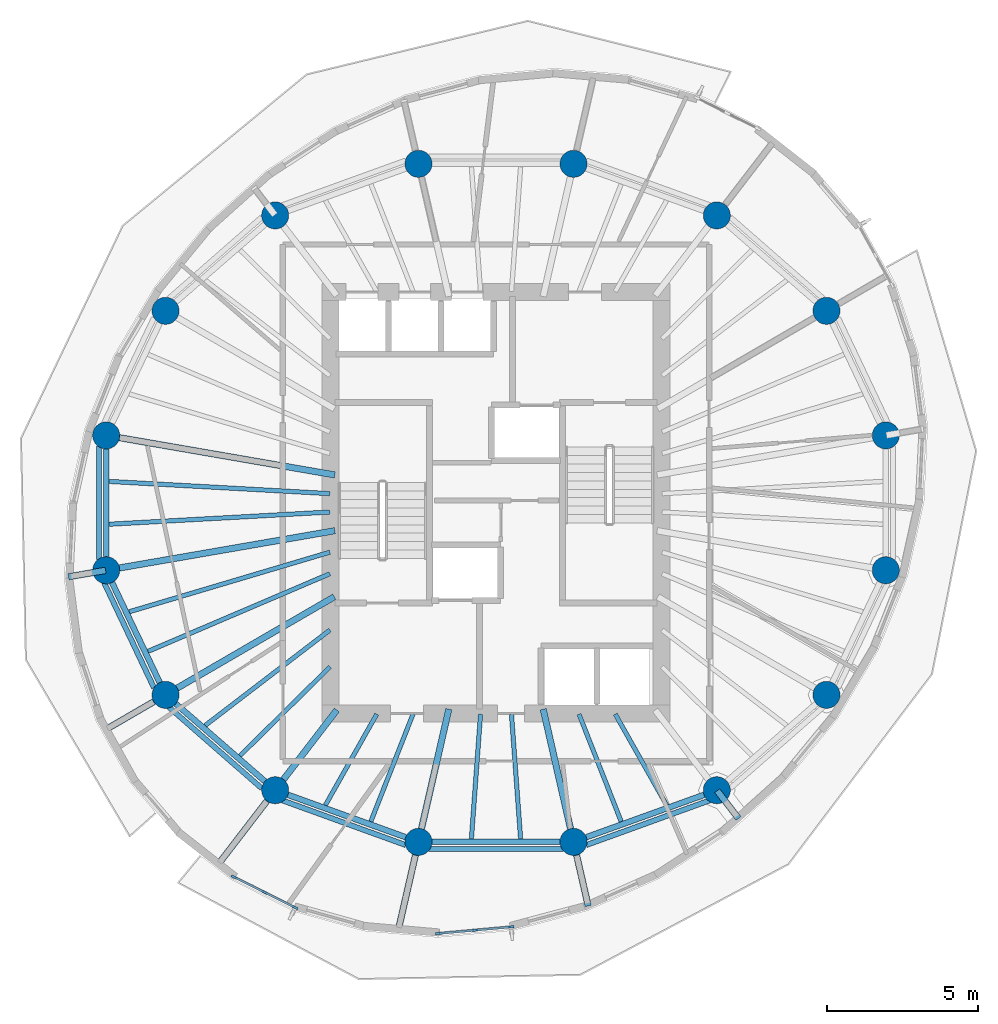
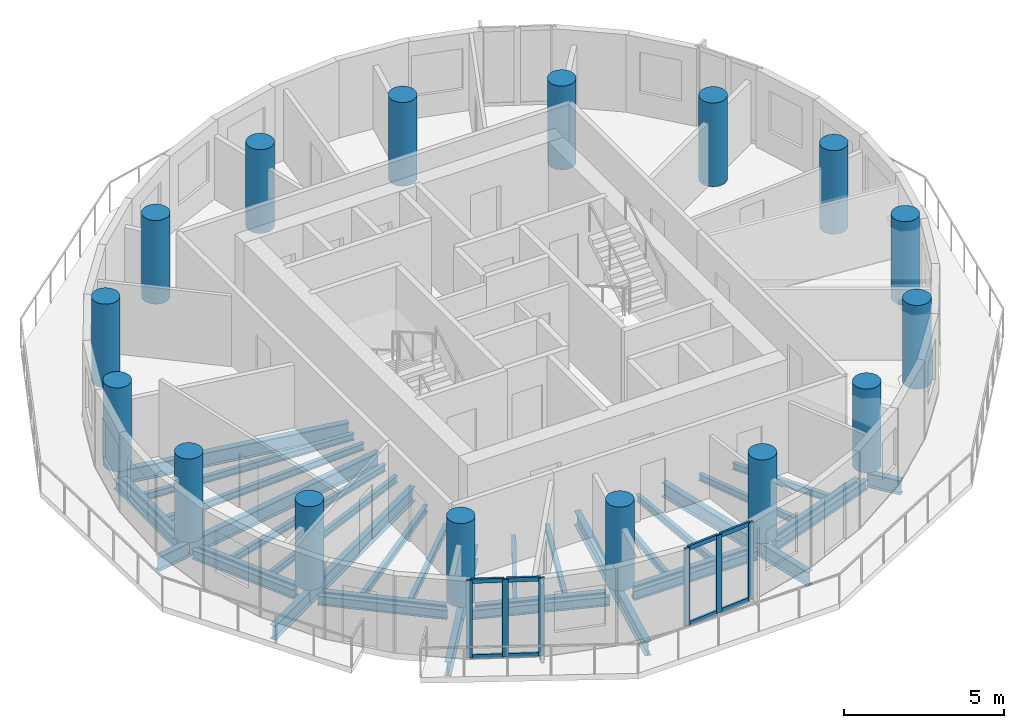
# One storey, part 1 of 10: 36 beams, 16 columns, 14 members, 2 elements without a shape of their own.
"""IFC4 building model written with IfcOpenShell, lengths in metres."""

from ifc_helpers import new_model, si_unit, direction, frame, origin, origin_2d, place, context, subcontext, project, spatial, rectangle, circle, i_section, extrude, material, material_profile, profile_set, type_object, element, aggregate, save


model = new_model("IFC4")

# Units and contexts
model_context = context("Model", 3, precision=1e-05, world=origin(), true_north=direction((0.0, 1.0)))
body_context = subcontext(model_context, "Body", "Model", "MODEL_VIEW")
ifc_project = project(units=[si_unit("LENGTHUNIT", "METRE"), si_unit("AREAUNIT", "SQUARE_METRE"), si_unit("VOLUMEUNIT", "CUBIC_METRE"), si_unit("PLANEANGLEUNIT", "RADIAN"), si_unit("MASSUNIT", "GRAM", prefix="KILO")], contexts=[model_context])

# Site, building, storey
site_placement = place(None, origin())
site = spatial("IfcSite", under=ifc_project, at=site_placement, CompositionType="ELEMENT")
building_placement = place(site_placement, origin())
building = spatial("IfcBuilding", under=site, at=building_placement, Name="Veldorim Arch Residences", CompositionType="ELEMENT")
storey_placement = place(building_placement, frame((0.0, 0.0, 188.639892578125)))
storey = spatial("IfcBuildingStorey", under=building, at=storey_placement, Name="L56", CompositionType="ELEMENT", Elevation=188.639892578125)

# Columns
ifc_material_1 = material(Name="Concrete C50/60", Category="concrete")
ifc_material_profile_1 = material_profile(ifc_material_1, circle(Radius=0.449951171875, at=origin_2d()), Name="RC_CIRC_900")
ifc_profile_set_1 = profile_set([ifc_material_profile_1], Name="Concrete C50/60")
column_type = type_object("IfcColumnType", Name="Structural Column RC_CIRC_900", PredefinedType="COLUMN", material=ifc_profile_set_1)
for number, where, z_axis, x_axis, name in (
    (1, (44.9462890625, 26.239501953125, 0.0), (0.0, 0.0, 1.0), (1.0, 0.0, 0.0), "L56 TC-Z4-01 perimeter column"),
    (2, (42.975341796875, 30.3779296875, 0.0), (0.0, 0.0, 1.0), (1.0, 0.0, 0.0), "L56 TC-Z4-02 perimeter column"),
    (3, (39.33349609375, 33.54541015625, 0.0), (0.0, 0.0, 1.0), (1.0, 0.0, 0.0), "L56 TC-Z4-03 perimeter column"),
    (4, (34.5751953125, 35.259521484375, 0.0), (0.0, 0.0, 1.0), (1.0, 0.0, 0.0), "L56 TC-Z4-04 perimeter column"),
    (5, (29.4248046875, 35.259521484375, 0.0), (0.0, 0.0, 1.0), (1.0, 0.0, 0.0), "L56 TC-Z4-05 perimeter column"),
    (6, (24.66650390625, 33.54541015625, 0.0), (0.0, 0.0, 1.0), (1.0, 0.0, 0.0), "L56 TC-Z4-06 perimeter column"),
    (7, (21.024658203125, 30.3779296875, 0.0), (0.0, 0.0, 1.0), (1.0, 0.0, 0.0), "L56 TC-Z4-07 perimeter column"),
    (8, (19.0537109375, 26.239501953125, 0.0), (0.0, 0.0, 1.0), (1.0, 0.0, 0.0), "L56 TC-Z4-08 perimeter column"),
    (9, (19.0537109375, 21.760498046875, 0.0), (0.0, 0.0, 1.0), (1.0, 0.0, 0.0), "L56 TC-Z4-09 perimeter column"),
    (10, (21.024658203125, 17.6220703125, 0.0), (0.0, 0.0, 1.0), (1.0, 0.0, 0.0), "L56 TC-Z4-10 perimeter column"),
    (11, (24.66650390625, 14.45458984375, 0.0), (0.0, 0.0, 1.0), (1.0, 0.0, 0.0), "L56 TC-Z4-11 perimeter column"),
    (12, (29.4248046875, 12.740478515625, 0.0), (0.0, 0.0, 1.0), (1.0, 0.0, 0.0), "L56 TC-Z4-12 perimeter column"),
    (13, (34.5751953125, 12.740478515625, 0.0), (0.0, 0.0, 1.0), (1.0, 0.0, 0.0), "L56 TC-Z4-13 perimeter column"),
    (14, (39.33349609375, 14.45458984375, 0.0), (0.0, 0.0, 1.0), (1.0, 0.0, 0.0), "L56 TC-Z4-14 perimeter column"),
    (15, (42.975341796875, 17.6220703125, 0.0), (0.0, 0.0, 1.0), (1.0, 0.0, 0.0), "L56 TC-Z4-15 perimeter column"),
    (16, (44.9462890625, 21.760498046875, 0.0), (0.0, 0.0, 1.0), (1.0, 0.0, 0.0), "L56 TC-Z4-16 perimeter column"),
):
    element("IfcColumn", number, at=place(storey_placement, frame(where, z_axis=z_axis, x_axis=x_axis)), inside=storey, type_object=column_type, Name=name, PredefinedType="COLUMN", context=body_context, shape_type="SweptSolid", body=[
        extrude(circle(Radius=0.449951171875, at=origin_2d()), origin(), (0.0, 0.0, 1.0), 3.2001953125),
    ])

# Beams
ifc_material_2 = material(Name="Steel S355", Category="steel")
ifc_material_profile_2 = material_profile(ifc_material_2, i_section(OverallWidth=0.2119140625, OverallDepth=0.54443359375, WebThickness=0.0126953125, FlangeThickness=0.021240234375, at=origin_2d()), Name="UB533x210x122")
ifc_profile_set_2 = profile_set([ifc_material_profile_2], Name="Steel S355")
beam_type_1 = type_object("IfcBeamType", Name="Structural Steel Beam UB533x210x122", PredefinedType="BEAM", material=ifc_profile_set_2)
for number, where, z_axis, x_axis, name in (
    (17, (26.647705078125, 24.92578125, -0.51220703125), (-0.985364974081, 0.170457818401, 0.0), (-0.170457818401, -0.985364974081, 0.0), "L56 radial floor girder 08"),
    (18, (26.647705078125, 23.07421875, -0.51220703125), (-0.985364974081, -0.170457818401, 0.0), (0.170457818401, -0.985364974081, 0.0), "L56 radial floor girder 09"),
):
    element("IfcBeam", number, at=place(storey_placement, frame(where, z_axis=z_axis, x_axis=x_axis)), inside=storey, type_object=beam_type_1, Name=name, PredefinedType="BEAM", context=body_context, shape_type="SweptSolid", body=[
        extrude(i_section(OverallWidth=0.2119140625, OverallDepth=0.54443359375, WebThickness=0.0126953125, FlangeThickness=0.021240234375, at=origin_2d()), origin(), (0.0, 0.0, 1.0), 7.68701171875),
    ])
beam_1_placement = place(storey_placement, frame((19.033935546875, 21.757080078125, -0.51220703125), z_axis=(-0.985353024945, -0.170526878328, 0.0), x_axis=(0.170526878328, -0.985353024945, 0.0)))
element("IfcBeam", 19, at=beam_1_placement, inside=storey, type_object=beam_type_1, Name="L56 radial edge cantilever girder 09", PredefinedType="BEAM", context=body_context, shape_type="SweptSolid", body=[
    extrude(i_section(OverallWidth=0.2119140625, OverallDepth=0.54443359375, WebThickness=0.0126953125, FlangeThickness=0.021240234375, at=origin_2d()), origin(), (0.0, 0.0, 1.0), 1.252685546875),
])
beam_2_placement = place(storey_placement, frame((26.629638671875, 20.87939453125, -0.51220703125), z_axis=(-0.864595736304, -0.502468121142, 0.0), x_axis=(0.502468121142, -0.864595736304, 0.0)))
element("IfcBeam", 20, at=beam_2_placement, inside=storey, type_object=beam_type_1, Name="L56 radial floor girder 10", PredefinedType="BEAM", context=body_context, shape_type="SweptSolid", body=[
    extrude(i_section(OverallWidth=0.2119140625, OverallDepth=0.54443359375, WebThickness=0.0126953125, FlangeThickness=0.021240234375, at=origin_2d()), origin(), (0.0, 0.0, 1.0), 6.462646484375),
])
beam_3_placement = place(storey_placement, frame((21.00732421875, 17.612060546875, -0.51220703125), z_axis=(-0.864602055373, -0.502457247779, 0.0), x_axis=(0.502457247779, -0.864602055373, 0.0)))
element("IfcBeam", 21, at=beam_3_placement, inside=storey, type_object=beam_type_1, Name="L56 radial edge cantilever girder 10", PredefinedType="BEAM", context=body_context, shape_type="SweptSolid", body=[
    extrude(i_section(OverallWidth=0.2119140625, OverallDepth=0.54443359375, WebThickness=0.0126953125, FlangeThickness=0.021240234375, at=origin_2d()), origin(), (0.0, 0.0, 1.0), 2.2880859375),
])
beam_4_placement = place(storey_placement, frame((26.71337890625, 17.118896484375, -0.51220703125), z_axis=(-0.609258442308, -0.792971721108, 0.0), x_axis=(0.792971721108, -0.609258442308, 0.0)))
element("IfcBeam", 22, at=beam_4_placement, inside=storey, type_object=beam_type_1, Name="L56 radial floor girder 11", PredefinedType="BEAM", context=body_context, shape_type="SweptSolid", body=[
    extrude(i_section(OverallWidth=0.2119140625, OverallDepth=0.54443359375, WebThickness=0.0126953125, FlangeThickness=0.021240234375, at=origin_2d()), origin(), (0.0, 0.0, 1.0), 3.339599609375),
])
beam_5_placement = place(storey_placement, frame((24.654296875, 14.438720703125, -0.51220703125), z_axis=(-0.609236633361, -0.792988476947, 0.0), x_axis=(0.792988476947, -0.609236633361, 0.0)))
element("IfcBeam", 23, at=beam_5_placement, inside=storey, type_object=beam_type_1, Name="L56 radial edge cantilever girder 11", PredefinedType="BEAM", context=body_context, shape_type="SweptSolid", body=[
    extrude(i_section(OverallWidth=0.2119140625, OverallDepth=0.54443359375, WebThickness=0.0126953125, FlangeThickness=0.021240234375, at=origin_2d()), origin(), (0.0, 0.0, 1.0), 3.08642578125),
])
beam_6_placement = place(storey_placement, frame((30.432373046875, 17.146240234375, -0.51220703125), z_axis=(-0.222952976993, -0.97482920045, 0.0), x_axis=(0.97482920045, -0.222952976993, 0.0)))
element("IfcBeam", 24, at=beam_6_placement, inside=storey, type_object=beam_type_1, Name="L56 radial floor girder 12", PredefinedType="BEAM", context=body_context, shape_type="SweptSolid", body=[
    extrude(i_section(OverallWidth=0.2119140625, OverallDepth=0.54443359375, WebThickness=0.0126953125, FlangeThickness=0.021240234375, at=origin_2d()), origin(), (0.0, 0.0, 1.0), 4.49951171875),
])
beam_7_placement = place(storey_placement, frame((29.42041015625, 12.72119140625, -0.51220703125), z_axis=(-0.222962695029, -0.974826977789, 0.0), x_axis=(0.974826977789, -0.222962695029, 0.0)))
element("IfcBeam", 25, at=beam_7_placement, inside=storey, type_object=beam_type_1, Name="L56 radial edge cantilever girder 12", PredefinedType="BEAM", context=body_context, shape_type="SweptSolid", body=[
    extrude(i_section(OverallWidth=0.2119140625, OverallDepth=0.54443359375, WebThickness=0.0126953125, FlangeThickness=0.021240234375, at=origin_2d()), origin(), (0.0, 0.0, 1.0), 2.98046875),
])
beam_8_placement = place(storey_placement, frame((33.567626953125, 17.146240234375, -0.51220703125), z_axis=(0.222952976993, -0.97482920045, 0.0), x_axis=(0.97482920045, 0.222952976993, 0.0)))
element("IfcBeam", 26, at=beam_8_placement, inside=storey, type_object=beam_type_1, Name="L56 radial floor girder 13", PredefinedType="BEAM", context=body_context, shape_type="SweptSolid", body=[
    extrude(i_section(OverallWidth=0.2119140625, OverallDepth=0.54443359375, WebThickness=0.0126953125, FlangeThickness=0.021240234375, at=origin_2d()), origin(), (0.0, 0.0, 1.0), 4.49951171875),
])
beam_9_placement = place(storey_placement, frame((34.57958984375, 12.72119140625, -0.51220703125), z_axis=(0.222947343298, -0.974830488914, 0.0), x_axis=(0.974830488914, 0.222947343298, 0.0)))
element("IfcBeam", 27, at=beam_9_placement, inside=storey, type_object=beam_type_1, Name="L56 radial edge cantilever girder 13", PredefinedType="BEAM", context=body_context, shape_type="SweptSolid", body=[
    extrude(i_section(OverallWidth=0.2119140625, OverallDepth=0.54443359375, WebThickness=0.0126953125, FlangeThickness=0.021240234375, at=origin_2d()), origin(), (0.0, 0.0, 1.0), 2.163818359375),
])
beam_10_placement = place(storey_placement, frame((39.345703125, 14.438720703125, -0.51220703125), z_axis=(0.609203031705, -0.793014291272, 0.0), x_axis=(0.793014291272, 0.609203031705, 0.0)))
element("IfcBeam", 28, at=beam_10_placement, inside=storey, type_object=beam_type_1, Name="L56 radial edge cantilever girder 14", PredefinedType="BEAM", context=body_context, shape_type="SweptSolid", body=[
    extrude(i_section(OverallWidth=0.2119140625, OverallDepth=0.54443359375, WebThickness=0.0126953125, FlangeThickness=0.021240234375, at=origin_2d()), origin(), (0.0, 0.0, 1.0), 1.162109375),
])
ifc_material_3 = material(Name="Steel S355", Category="steel")
ifc_material_profile_3 = material_profile(ifc_material_3, i_section(OverallWidth=0.146484375, OverallDepth=0.256103515625, WebThickness=0.00634765625, FlangeThickness=0.010986328125, at=origin_2d()), Name="UB254x146x37")
ifc_profile_set_3 = profile_set([ifc_material_profile_3], Name="Steel S355")
beam_type_2 = type_object("IfcBeamType", Name="Structural Steel Joist UB254x146x37", PredefinedType="JOIST", material=ifc_profile_set_3)
for number, where, z_axis, x_axis, name in (
    (29, (26.47998046875, 24.3056640625, -0.367919921875), (-0.998472000884, 0.055259962464, 0.0), (-0.055259962464, -0.998472000884, 0.0), "L56 secondary radial floor joist 08-1"),
    (30, (26.47998046875, 23.6943359375, -0.367919921875), (-0.998472000884, -0.055259962464, 0.0), (0.055259962464, -0.998472000884, 0.0), "L56 secondary radial floor joist 08-2"),
):
    element("IfcBeam", number, at=place(storey_placement, frame(where, z_axis=z_axis, x_axis=x_axis)), inside=storey, type_object=beam_type_2, Name=name, PredefinedType="JOIST", context=body_context, shape_type="SweptSolid", body=[
        extrude(i_section(OverallWidth=0.146484375, OverallDepth=0.256103515625, WebThickness=0.00634765625, FlangeThickness=0.010986328125, at=origin_2d()), origin(), (0.0, 0.0, 1.0), 7.33837890625),
    ])
beam_11_placement = place(storey_placement, frame((26.480712890625, 22.360595703125, -0.367919921875), z_axis=(-0.958594432792, -0.284774846889, 0.0), x_axis=(0.284774846889, -0.958594432792, 0.0)))
element("IfcBeam", 31, at=beam_11_placement, inside=storey, type_object=beam_type_2, Name="L56 secondary radial floor joist 09-1", PredefinedType="JOIST", context=body_context, shape_type="SweptSolid", body=[
    extrude(i_section(OverallWidth=0.146484375, OverallDepth=0.256103515625, WebThickness=0.00634765625, FlangeThickness=0.010986328125, at=origin_2d()), origin(), (0.0, 0.0, 1.0), 6.949462890625),
])
beam_12_placement = place(storey_placement, frame((26.481689453125, 21.644287109375, -0.367919921875), z_axis=(-0.919725161652, -0.392562895629, 0.0), x_axis=(0.392562895629, -0.919725161652, 0.0)))
element("IfcBeam", 32, at=beam_12_placement, inside=storey, type_object=beam_type_2, Name="L56 secondary radial floor joist 09-2", PredefinedType="JOIST", context=body_context, shape_type="SweptSolid", body=[
    extrude(i_section(OverallWidth=0.146484375, OverallDepth=0.256103515625, WebThickness=0.00634765625, FlangeThickness=0.010986328125, at=origin_2d()), origin(), (0.0, 0.0, 1.0), 6.5625),
])
beam_13_placement = place(storey_placement, frame((26.484130859375, 19.777099609375, -0.367919921875), z_axis=(-0.794013672216, -0.607899899929, 0.0), x_axis=(0.607899899929, -0.794013672216, 0.0)))
element("IfcBeam", 33, at=beam_13_placement, inside=storey, type_object=beam_type_2, Name="L56 secondary radial floor joist 10-1", PredefinedType="JOIST", context=body_context, shape_type="SweptSolid", body=[
    extrude(i_section(OverallWidth=0.146484375, OverallDepth=0.256103515625, WebThickness=0.00634765625, FlangeThickness=0.010986328125, at=origin_2d()), origin(), (0.0, 0.0, 1.0), 5.217041015625),
])
beam_14_placement = place(storey_placement, frame((26.48583984375, 18.55224609375, -0.367919921875), z_axis=(-0.711396725432, -0.702790650937, 0.0), x_axis=(0.702790650937, -0.711396725432, 0.0)))
element("IfcBeam", 34, at=beam_14_placement, inside=storey, type_object=beam_type_2, Name="L56 secondary radial floor joist 10-2", PredefinedType="JOIST", context=body_context, shape_type="SweptSolid", body=[
    extrude(i_section(OverallWidth=0.146484375, OverallDepth=0.256103515625, WebThickness=0.00634765625, FlangeThickness=0.010986328125, at=origin_2d()), origin(), (0.0, 0.0, 1.0), 4.198486328125),
])
beam_15_placement = place(storey_placement, frame((28.039794921875, 16.982666015625, -0.367919921875), z_axis=(-0.491452469585, -0.870904397818, 0.0), x_axis=(0.870904397818, -0.491452469585, 0.0)))
element("IfcBeam", 35, at=beam_15_placement, inside=storey, type_object=beam_type_2, Name="L56 secondary radial floor joist 11-1", PredefinedType="JOIST", context=body_context, shape_type="SweptSolid", body=[
    extrude(i_section(OverallWidth=0.146484375, OverallDepth=0.256103515625, WebThickness=0.00634765625, FlangeThickness=0.010986328125, at=origin_2d()), origin(), (0.0, 0.0, 1.0), 3.472412109375),
])
beam_16_placement = place(storey_placement, frame((29.24365234375, 16.9814453125, -0.367919921875), z_axis=(-0.365581383042, -0.930779379001, 0.0), x_axis=(0.930779379001, -0.365581383042, 0.0)))
element("IfcBeam", 36, at=beam_16_placement, inside=storey, type_object=beam_type_2, Name="L56 secondary radial floor joist 11-2", PredefinedType="JOIST", context=body_context, shape_type="SweptSolid", body=[
    extrude(i_section(OverallWidth=0.146484375, OverallDepth=0.256103515625, WebThickness=0.00634765625, FlangeThickness=0.010986328125, at=origin_2d()), origin(), (0.0, 0.0, 1.0), 3.83056640625),
])
for number, where, z_axis, x_axis, name in (
    (37, (31.486083984375, 16.97998046875, -0.367919921875), (-0.072985625899, -0.997332992742, 0.0), (0.997332992742, -0.072985625899, 0.0), "L56 secondary radial floor joist 12-1"),
    (38, (32.513916015625, 16.97998046875, -0.367919921875), (0.072985625899, -0.997332992742, 0.0), (0.997332992742, 0.072985625899, 0.0), "L56 secondary radial floor joist 12-2"),
):
    element("IfcBeam", number, at=place(storey_placement, frame(where, z_axis=z_axis, x_axis=x_axis)), inside=storey, type_object=beam_type_2, Name=name, PredefinedType="JOIST", context=body_context, shape_type="SweptSolid", body=[
        extrude(i_section(OverallWidth=0.146484375, OverallDepth=0.256103515625, WebThickness=0.00634765625, FlangeThickness=0.010986328125, at=origin_2d()), origin(), (0.0, 0.0, 1.0), 4.151123046875),
    ])
beam_17_placement = place(storey_placement, frame((34.75634765625, 16.9814453125, -0.367919921875), z_axis=(0.365581383042, -0.930779379001, 0.0), x_axis=(0.930779379001, 0.365581383042, 0.0)))
element("IfcBeam", 39, at=beam_17_placement, inside=storey, type_object=beam_type_2, Name="L56 secondary radial floor joist 13-1", PredefinedType="JOIST", context=body_context, shape_type="SweptSolid", body=[
    extrude(i_section(OverallWidth=0.146484375, OverallDepth=0.256103515625, WebThickness=0.00634765625, FlangeThickness=0.010986328125, at=origin_2d()), origin(), (0.0, 0.0, 1.0), 3.83056640625),
])
beam_18_placement = place(storey_placement, frame((35.960205078125, 16.982666015625, -0.367919921875), z_axis=(0.491452469585, -0.870904397818, 0.0), x_axis=(0.870904397818, 0.491452469585, 0.0)))
element("IfcBeam", 40, at=beam_18_placement, inside=storey, type_object=beam_type_2, Name="L56 secondary radial floor joist 13-2", PredefinedType="JOIST", context=body_context, shape_type="SweptSolid", body=[
    extrude(i_section(OverallWidth=0.146484375, OverallDepth=0.256103515625, WebThickness=0.00634765625, FlangeThickness=0.010986328125, at=origin_2d()), origin(), (0.0, 0.0, 1.0), 3.472412109375),
])
ifc_material_4 = material(Name="Steel S355", Category="steel")
ifc_material_profile_4 = material_profile(ifc_material_4, i_section(OverallWidth=0.172119140625, OverallDepth=0.35791015625, WebThickness=0.008056640625, FlangeThickness=0.012939453125, at=origin_2d()), Name="UB356x171x57")
ifc_profile_set_4 = profile_set([ifc_material_profile_4], Name="Steel S355")
beam_type_3 = type_object("IfcBeamType", Name="Structural Steel Spandrel UB356x171x57", PredefinedType="SPANDREL", material=ifc_profile_set_4)
beam_19_placement = place(storey_placement, frame((18.809814453125, 25.8857421875, -0.43896484375), z_axis=(0.0, -1.0, 0.0), x_axis=(1.0, 0.0, 0.0)))
element("IfcBeam", 41, at=beam_19_placement, inside=storey, type_object=beam_type_3, Name="L56 perimeter chord spandrel beam 08", PredefinedType="SPANDREL", context=body_context, shape_type="SweptSolid", body=[
    extrude(i_section(OverallWidth=0.172119140625, OverallDepth=0.35791015625, WebThickness=0.008056640625, FlangeThickness=0.012939453125, at=origin_2d()), origin(), (0.0, 0.0, 1.0), 3.771484375),
])
beam_20_placement = place(storey_placement, frame((18.9794921875, 21.3603515625, -0.43896484375), z_axis=(0.428408308939, -0.903585259304, 0.0), x_axis=(0.903585259304, 0.428408308939, 0.0)))
element("IfcBeam", 42, at=beam_20_placement, inside=storey, type_object=beam_type_3, Name="L56 perimeter chord spandrel beam 09", PredefinedType="SPANDREL", context=body_context, shape_type="SweptSolid", body=[
    extrude(i_section(OverallWidth=0.172119140625, OverallDepth=0.35791015625, WebThickness=0.008056640625, FlangeThickness=0.012939453125, at=origin_2d()), origin(), (0.0, 0.0, 1.0), 3.878662109375),
])
beam_21_placement = place(storey_placement, frame((21.108642578125, 17.237060546875, -0.43896484375), z_axis=(0.752847646119, -0.6581948205, 0.0), x_axis=(0.6581948205, 0.752847646119, 0.0)))
element("IfcBeam", 43, at=beam_21_placement, inside=storey, type_object=beam_type_3, Name="L56 perimeter chord spandrel beam 10", PredefinedType="SPANDREL", context=body_context, shape_type="SweptSolid", body=[
    extrude(i_section(OverallWidth=0.172119140625, OverallDepth=0.35791015625, WebThickness=0.008056640625, FlangeThickness=0.012939453125, at=origin_2d()), origin(), (0.0, 0.0, 1.0), 4.12939453125),
])
beam_22_placement = place(storey_placement, frame((24.887939453125, 14.12353515625, -0.43896484375), z_axis=(0.940164695555, -0.340720332871, 0.0), x_axis=(0.340720332871, 0.940164695555, 0.0)))
element("IfcBeam", 44, at=beam_22_placement, inside=storey, type_object=beam_type_3, Name="L56 perimeter chord spandrel beam 11", PredefinedType="SPANDREL", context=body_context, shape_type="SweptSolid", body=[
    extrude(i_section(OverallWidth=0.172119140625, OverallDepth=0.35791015625, WebThickness=0.008056640625, FlangeThickness=0.012939453125, at=origin_2d()), origin(), (0.0, 0.0, 1.0), 4.370849609375),
])
beam_23_placement = place(storey_placement, frame((29.765625, 12.499267578125, -0.43896484375), z_axis=(1.0, 0.0, 0.0), x_axis=(0.0, 1.0, 0.0)))
element("IfcBeam", 45, at=beam_23_placement, inside=storey, type_object=beam_type_3, Name="L56 perimeter chord spandrel beam 12", PredefinedType="SPANDREL", context=body_context, shape_type="SweptSolid", body=[
    extrude(i_section(OverallWidth=0.172119140625, OverallDepth=0.35791015625, WebThickness=0.008056640625, FlangeThickness=0.012939453125, at=origin_2d()), origin(), (0.0, 0.0, 1.0), 4.46875),
])
beam_24_placement = place(storey_placement, frame((35.002685546875, 12.63427734375, -0.43896484375), z_axis=(0.940164695555, 0.340720332871, 0.0), x_axis=(-0.340720332871, 0.940164695555, 0.0)))
element("IfcBeam", 46, at=beam_24_placement, inside=storey, type_object=beam_type_3, Name="L56 perimeter chord spandrel beam 13", PredefinedType="SPANDREL", context=body_context, shape_type="SweptSolid", body=[
    extrude(i_section(OverallWidth=0.172119140625, OverallDepth=0.35791015625, WebThickness=0.008056640625, FlangeThickness=0.012939453125, at=origin_2d()), origin(), (0.0, 0.0, 1.0), 4.370849609375),
])
ifc_material_5 = material(Name="Steel S355", Category="steel")
ifc_material_profile_5 = material_profile(ifc_material_5, i_section(OverallWidth=0.19140625, OverallDepth=0.4599609375, WebThickness=0.010009765625, FlangeThickness=0.01611328125, at=origin_2d()), Name="UB457x191x82")
ifc_profile_set_5 = profile_set([ifc_material_profile_5], Name="Steel S355")
beam_type_4 = type_object("IfcBeamType", Name="Structural Steel Spandrel UB457x191x82", PredefinedType="SPANDREL", material=ifc_profile_set_5)
beam_25_placement = place(storey_placement, frame((19.0537109375, 25.78955078125, -0.469970703125), z_axis=(0.0, -1.0, 0.0), x_axis=(1.0, 0.0, 0.0)))
element("IfcBeam", 47, at=beam_25_placement, inside=storey, type_object=beam_type_4, Name="L56 perimeter ring tie beam 08", PredefinedType="SPANDREL", context=body_context, shape_type="SweptSolid", body=[
    extrude(i_section(OverallWidth=0.19140625, OverallDepth=0.4599609375, WebThickness=0.010009765625, FlangeThickness=0.01611328125, at=origin_2d()), origin(), (0.0, 0.0, 1.0), 3.5791015625),
])
beam_26_placement = place(storey_placement, frame((19.2470703125, 21.35400390625, -0.469970703125), z_axis=(0.430005613988, -0.902826213586, 0.0), x_axis=(0.902826213586, 0.430005613988, 0.0)))
element("IfcBeam", 48, at=beam_26_placement, inside=storey, type_object=beam_type_4, Name="L56 perimeter ring tie beam 09", PredefinedType="SPANDREL", context=body_context, shape_type="SweptSolid", body=[
    extrude(i_section(OverallWidth=0.19140625, OverallDepth=0.4599609375, WebThickness=0.010009765625, FlangeThickness=0.01611328125, at=origin_2d()), origin(), (0.0, 0.0, 1.0), 3.68359375),
])
beam_27_placement = place(storey_placement, frame((21.364013671875, 17.326904296875, -0.469970703125), z_axis=(0.754545285701, -0.656247980436, 0.0), x_axis=(0.656247980436, 0.754545285701, 0.0)))
element("IfcBeam", 49, at=beam_27_placement, inside=storey, type_object=beam_type_4, Name="L56 perimeter ring tie beam 10", PredefinedType="SPANDREL", context=body_context, shape_type="SweptSolid", body=[
    extrude(i_section(OverallWidth=0.19140625, OverallDepth=0.4599609375, WebThickness=0.010009765625, FlangeThickness=0.01611328125, at=origin_2d()), origin(), (0.0, 0.0, 1.0), 3.9267578125),
])
beam_28_placement = place(storey_placement, frame((25.08984375, 14.30224609375, -0.469970703125), z_axis=(0.940811035395, -0.338931550137, 0.0), x_axis=(0.338931550137, 0.940811035395, 0.0)))
element("IfcBeam", 50, at=beam_28_placement, inside=storey, type_object=beam_type_4, Name="L56 perimeter ring tie beam 11", PredefinedType="SPANDREL", context=body_context, shape_type="SweptSolid", body=[
    extrude(i_section(OverallWidth=0.19140625, OverallDepth=0.4599609375, WebThickness=0.010009765625, FlangeThickness=0.01611328125, at=origin_2d()), origin(), (0.0, 0.0, 1.0), 4.15771484375),
])
beam_29_placement = place(storey_placement, frame((29.874755859375, 12.740478515625, -0.469970703125), z_axis=(1.0, 0.0, 0.0), x_axis=(0.0, 1.0, 0.0)))
element("IfcBeam", 51, at=beam_29_placement, inside=storey, type_object=beam_type_4, Name="L56 perimeter ring tie beam 12", PredefinedType="SPANDREL", context=body_context, shape_type="SweptSolid", body=[
    extrude(i_section(OverallWidth=0.19140625, OverallDepth=0.4599609375, WebThickness=0.010009765625, FlangeThickness=0.01611328125, at=origin_2d()), origin(), (0.0, 0.0, 1.0), 4.25048828125),
])
beam_30_placement = place(storey_placement, frame((34.99853515625, 12.89306640625, -0.469970703125), z_axis=(0.940811035395, 0.338931550137, 0.0), x_axis=(-0.338931550137, 0.940811035395, 0.0)))
element("IfcBeam", 52, at=beam_30_placement, inside=storey, type_object=beam_type_4, Name="L56 perimeter ring tie beam 13", PredefinedType="SPANDREL", context=body_context, shape_type="SweptSolid", body=[
    extrude(i_section(OverallWidth=0.19140625, OverallDepth=0.4599609375, WebThickness=0.010009765625, FlangeThickness=0.01611328125, at=origin_2d()), origin(), (0.0, 0.0, 1.0), 4.15771484375),
])

# Curtain wall, members
ifc_material_6 = material(Name="Aluminium", Category="aluminium")
curtain_wall_type = type_object("IfcCurtainWallType", Name="Zone 4 High-Altitude Unitised Curtain Wall", PredefinedType="NOTDEFINED", material=ifc_material_6)
curtain_wall_1_placement = place(storey_placement, origin())
curtain_wall_1 = element("IfcCurtainWall", 53, at=curtain_wall_1_placement, inside=storey, type_object=curtain_wall_type, Name="L56 unitised curtain wall bay 20", PredefinedType="NOTDEFINED")
ifc_material_7 = material(Name="Aluminium", Category="aluminium")
ifc_material_profile_6 = material_profile(ifc_material_7, rectangle(XDim=0.074951171875, YDim=0.195068359375, at=origin_2d()), Name="ALU_MUL_75x195")
ifc_profile_set_6 = profile_set([ifc_material_profile_6], Name="Aluminium")
member_type_1 = type_object("IfcMemberType", Name="Zone 4 High-Altitude Unitised Curtain Wall Mullion 75x195", PredefinedType="MULLION", material=ifc_profile_set_6)
member_1_placement = place(storey_placement, frame((25.330810546875, 10.553466796875, 0.0), z_axis=(0.0, 0.0, 1.0), x_axis=(-0.448866145175, -0.893599006107, 0.0)))
member_1 = element("IfcMember", 54, at=member_1_placement, type_object=member_type_1, Name="CW-Z4 mullion 1", PredefinedType="MULLION", context=body_context, shape_type="SweptSolid", body=[
    extrude(rectangle(XDim=0.074951171875, YDim=0.195068359375, at=origin_2d()), origin(), (0.0, 0.0, 1.0), 2.960205078125),
])
member_2_placement = place(storey_placement, frame((24.31591796875, 11.0634765625, 0.0), z_axis=(0.0, 0.0, 1.0), x_axis=(-0.448866145175, -0.893599006107, 0.0)))
member_2 = element("IfcMember", 55, at=member_2_placement, type_object=member_type_1, Name="CW-Z4 mullion 2", PredefinedType="MULLION", context=body_context, shape_type="SweptSolid", body=[
    extrude(rectangle(XDim=0.074951171875, YDim=0.195068359375, at=origin_2d()), origin(), (0.0, 0.0, 1.0), 2.960205078125),
])
member_3_placement = place(storey_placement, frame((23.30078125, 11.5732421875, 0.0), z_axis=(0.0, 0.0, 1.0), x_axis=(-0.448866145175, -0.893599006107, 0.0)))
member_3 = element("IfcMember", 56, at=member_3_placement, type_object=member_type_1, Name="CW-Z4 mullion 3", PredefinedType="MULLION", context=body_context, shape_type="SweptSolid", body=[
    extrude(rectangle(XDim=0.074951171875, YDim=0.195068359375, at=origin_2d()), origin(), (0.0, 0.0, 1.0), 2.960205078125),
])

curtain_wall_2_placement = place(storey_placement, origin())
curtain_wall_2 = element("IfcCurtainWall", 57, at=curtain_wall_2_placement, inside=storey, type_object=curtain_wall_type, Name="L56 unitised curtain wall bay 23", PredefinedType="NOTDEFINED")
member_4_placement = place(storey_placement, frame((32.503173828125, 9.916259765625, 0.0), z_axis=(0.0, 0.0, 1.0), x_axis=(0.090521332333, -0.9958945167, 0.0)))
member_4 = element("IfcMember", 58, at=member_4_placement, type_object=member_type_1, Name="CW-Z4 mullion 1", PredefinedType="MULLION", context=body_context, shape_type="SweptSolid", body=[
    extrude(rectangle(XDim=0.074951171875, YDim=0.195068359375, at=origin_2d()), origin(), (0.0, 0.0, 1.0), 2.960205078125),
])
member_5_placement = place(storey_placement, frame((31.294677734375, 9.806396484375, 0.0), z_axis=(0.0, 0.0, 1.0), x_axis=(0.090521332333, -0.9958945167, 0.0)))
member_5 = element("IfcMember", 59, at=member_5_placement, type_object=member_type_1, Name="CW-Z4 mullion 2", PredefinedType="MULLION", context=body_context, shape_type="SweptSolid", body=[
    extrude(rectangle(XDim=0.074951171875, YDim=0.195068359375, at=origin_2d()), origin(), (0.0, 0.0, 1.0), 2.960205078125),
])
member_6_placement = place(storey_placement, frame((30.0859375, 9.696533203125, 0.0), z_axis=(0.0, 0.0, 1.0), x_axis=(0.090521332333, -0.9958945167, 0.0)))
member_6 = element("IfcMember", 60, at=member_6_placement, type_object=member_type_1, Name="CW-Z4 mullion 3", PredefinedType="MULLION", context=body_context, shape_type="SweptSolid", body=[
    extrude(rectangle(XDim=0.074951171875, YDim=0.195068359375, at=origin_2d()), origin(), (0.0, 0.0, 1.0), 2.960205078125),
])

# Member
ifc_material_8 = material(Name="Aluminium", Category="aluminium")
ifc_material_profile_7 = material_profile(ifc_material_8, rectangle(XDim=0.074951171875, YDim=0.1650390625, at=origin_2d()), Name="ALU_TRN_75x165")
ifc_profile_set_7 = profile_set([ifc_material_profile_7], Name="Aluminium")
member_type_2 = type_object("IfcMemberType", Name="Zone 4 High-Altitude Unitised Curtain Wall Transom 75x165", PredefinedType="USERDEFINED", material=ifc_profile_set_7)
member_7_placement = place(storey_placement, frame((25.29736328125, 10.5703125, 0.03759765625), z_axis=(-0.89355102998, 0.448961642929, 0.0), x_axis=(-0.448961642929, -0.89355102998, 0.0)))
member_7 = element("IfcMember", 61, at=member_7_placement, type_object=member_type_2, Name="CW-Z4 transom 1.1", ObjectType="TRANSOM", PredefinedType="USERDEFINED", context=body_context, shape_type="SweptSolid", body=[
    extrude(rectangle(XDim=0.074951171875, YDim=0.1650390625, at=origin_2d()), origin(), (0.0, 0.0, 1.0), 1.06103515625),
])

member_8_placement = place(storey_placement, frame((25.29736328125, 10.5703125, 2.922607421875), z_axis=(-0.89355102998, 0.448961642929, 0.0), x_axis=(-0.448961642929, -0.89355102998, 0.0)))
member_8 = element("IfcMember", 62, at=member_8_placement, type_object=member_type_2, Name="CW-Z4 transom 1.2", ObjectType="TRANSOM", PredefinedType="USERDEFINED", context=body_context, shape_type="SweptSolid", body=[
    extrude(rectangle(XDim=0.074951171875, YDim=0.1650390625, at=origin_2d()), origin(), (0.0, 0.0, 1.0), 1.06103515625),
])

member_9_placement = place(storey_placement, frame((24.2822265625, 11.080322265625, 0.03759765625), z_axis=(-0.893643337386, 0.448777879965, 0.0), x_axis=(-0.448777879965, -0.893643337386, 0.0)))
member_9 = element("IfcMember", 63, at=member_9_placement, type_object=member_type_2, Name="CW-Z4 transom 2.1", ObjectType="TRANSOM", PredefinedType="USERDEFINED", context=body_context, shape_type="SweptSolid", body=[
    extrude(rectangle(XDim=0.074951171875, YDim=0.1650390625, at=origin_2d()), origin(), (0.0, 0.0, 1.0), 1.060791015625),
])

member_10_placement = place(storey_placement, frame((24.2822265625, 11.080322265625, 2.922607421875), z_axis=(-0.893643337386, 0.448777879965, 0.0), x_axis=(-0.448777879965, -0.893643337386, 0.0)))
member_10 = element("IfcMember", 64, at=member_10_placement, type_object=member_type_2, Name="CW-Z4 transom 2.2", ObjectType="TRANSOM", PredefinedType="USERDEFINED", context=body_context, shape_type="SweptSolid", body=[
    extrude(rectangle(XDim=0.074951171875, YDim=0.1650390625, at=origin_2d()), origin(), (0.0, 0.0, 1.0), 1.060791015625),
])

aggregate(curtain_wall_1, [member_1, member_2, member_3, member_7, member_8, member_9, member_10])

member_11_placement = place(storey_placement, frame((32.4658203125, 9.912841796875, 0.03759765625), z_axis=(-0.995896721259, -0.090497075015, 0.0), x_axis=(0.090497075015, -0.995896721259, 0.0)))
member_11 = element("IfcMember", 65, at=member_11_placement, type_object=member_type_2, Name="CW-Z4 transom 1.1", ObjectType="TRANSOM", PredefinedType="USERDEFINED", context=body_context, shape_type="SweptSolid", body=[
    extrude(rectangle(XDim=0.074951171875, YDim=0.1650390625, at=origin_2d()), origin(), (0.0, 0.0, 1.0), 1.138427734375),
])

member_12_placement = place(storey_placement, frame((32.4658203125, 9.912841796875, 2.922607421875), z_axis=(-0.995896721259, -0.090497075015, 0.0), x_axis=(0.090497075015, -0.995896721259, 0.0)))
member_12 = element("IfcMember", 66, at=member_12_placement, type_object=member_type_2, Name="CW-Z4 transom 1.2", ObjectType="TRANSOM", PredefinedType="USERDEFINED", context=body_context, shape_type="SweptSolid", body=[
    extrude(rectangle(XDim=0.074951171875, YDim=0.1650390625, at=origin_2d()), origin(), (0.0, 0.0, 1.0), 1.138427734375),
])

member_13_placement = place(storey_placement, frame((31.25732421875, 9.802978515625, 0.03759765625), z_axis=(-0.995898476966, -0.090477751836, 0.0), x_axis=(0.090477751836, -0.995898476966, 0.0)))
member_13 = element("IfcMember", 67, at=member_13_placement, type_object=member_type_2, Name="CW-Z4 transom 2.1", ObjectType="TRANSOM", PredefinedType="USERDEFINED", context=body_context, shape_type="SweptSolid", body=[
    extrude(rectangle(XDim=0.074951171875, YDim=0.1650390625, at=origin_2d()), origin(), (0.0, 0.0, 1.0), 1.138671875),
])

member_14_placement = place(storey_placement, frame((31.25732421875, 9.802978515625, 2.922607421875), z_axis=(-0.995898476966, -0.090477751836, 0.0), x_axis=(0.090477751836, -0.995898476966, 0.0)))
member_14 = element("IfcMember", 68, at=member_14_placement, type_object=member_type_2, Name="CW-Z4 transom 2.2", ObjectType="TRANSOM", PredefinedType="USERDEFINED", context=body_context, shape_type="SweptSolid", body=[
    extrude(rectangle(XDim=0.074951171875, YDim=0.1650390625, at=origin_2d()), origin(), (0.0, 0.0, 1.0), 1.138671875),
])

aggregate(curtain_wall_2, [member_4, member_5, member_6, member_11, member_12, member_13, member_14])

save(model, "model.ifc")
